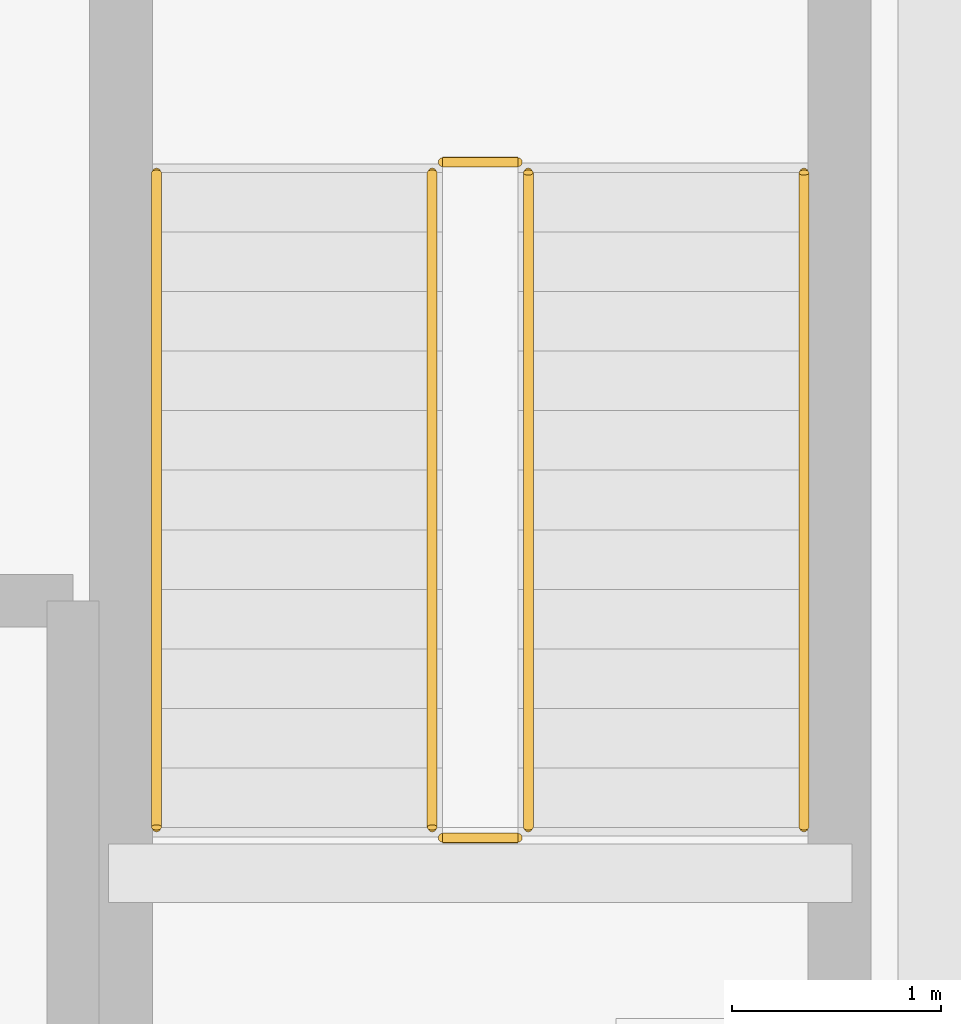
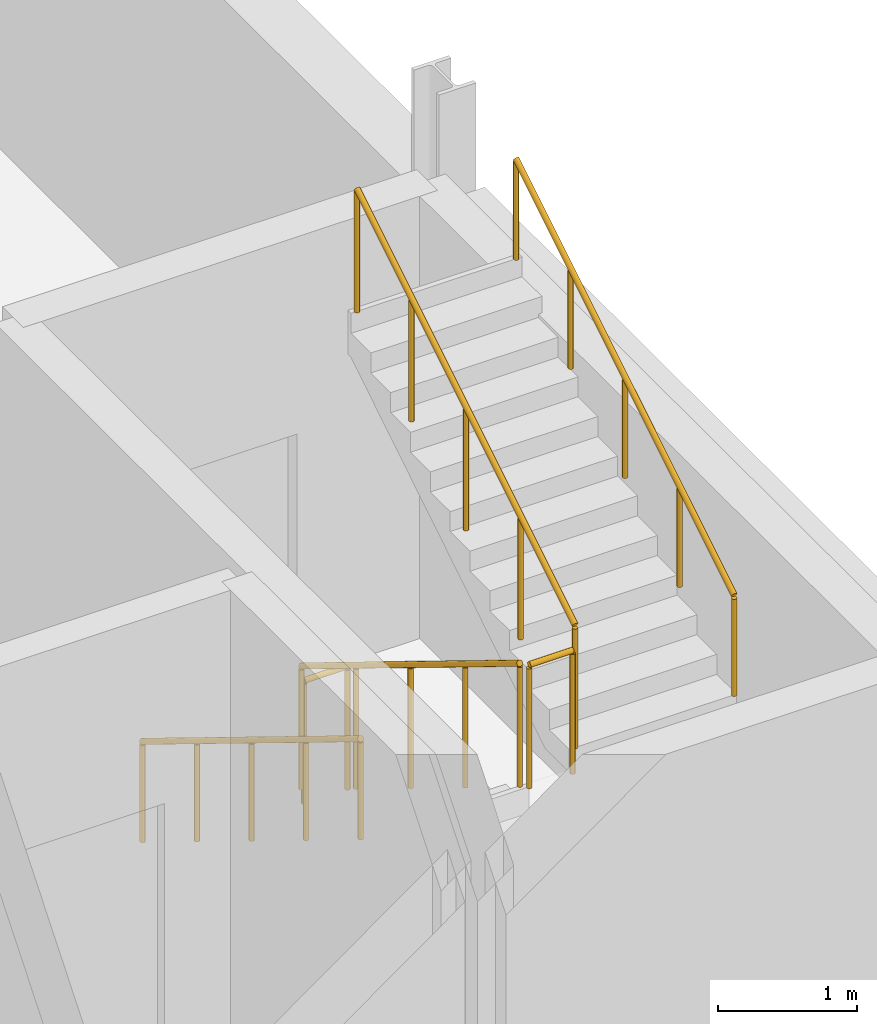
# One storey, part 50 of 50: 6 railings.
"""IFC4 building model written with IfcOpenShell, lengths in metres."""

from ifc_helpers import new_model, si_unit, direction, frame, origin, origin_2d, place, context, subcontext, project, spatial, circle, extrude, material, layer, layer_set, type_object, element, save


model = new_model("IFC4")

# Units and contexts
model_context = context("Model", 3, precision=1e-05, world=origin(), true_north=direction((0.0, 1.0)))
body_context = subcontext(model_context, "Body", "Model", "MODEL_VIEW")
ifc_project = project(units=[si_unit("LENGTHUNIT", "METRE"), si_unit("AREAUNIT", "SQUARE_METRE"), si_unit("VOLUMEUNIT", "CUBIC_METRE"), si_unit("PLANEANGLEUNIT", "RADIAN"), si_unit("MASSUNIT", "GRAM", prefix="KILO")], contexts=[model_context])

# Site, building, storey
site_placement = place(None, origin())
site = spatial("IfcSite", under=ifc_project, at=site_placement, CompositionType="ELEMENT")
building_placement = place(site_placement, origin())
building = spatial("IfcBuilding", under=site, at=building_placement, Name="Narikvali Park Central Library", CompositionType="ELEMENT")
storey_placement = place(building_placement, frame((0.0, 0.0, -4.199951171875)))
storey = spatial("IfcBuildingStorey", under=building, at=storey_placement, Name="B1", CompositionType="ELEMENT", Elevation=-4.199951171875)

# Railings
ifc_material_1 = material(Name="Brushed Stainless Steel S355", Category="steel")
ifc_layer_1 = layer(ifc_material_1, 0.044921875, Name="Brushed Stainless Steel S355")
ifc_layer_set_1 = layer_set([ifc_layer_1], Name="Brushed Stainless Steel S355")
railing_type_1 = type_object("IfcRailingType", Name="Stair Tubular Steel Handrail 900", PredefinedType="HANDRAIL", material=ifc_layer_set_1)
railing_1_placement = place(storey_placement, frame((161.800048828125, 105.75, 0.175048828125)))
element("IfcRailing", 1, at=railing_1_placement, inside=storey, type_object=railing_type_1, Name="B1 ST-06 stair handrail 1", PredefinedType="HANDRAIL", context=body_context, shape_type="SweptSolid", body=[
    extrude(circle(Radius=0.02392578125, at=origin_2d()), frame((0.0, 0.0, 0.8759765625), z_axis=(0.0, -0.852195625947, 0.523223293744), x_axis=(1.0, 0.0, 0.0)), (0.0, 0.0, 1.0), 3.6787109375),
    extrude(circle(Radius=0.02099609375, at=origin_2d()), origin(), (0.0, 0.0, 1.0), 0.851806640625),
    extrude(circle(Radius=0.02099609375, at=origin_2d()), frame((0.0, -0.78369140625, 0.481201171875)), (0.0, 0.0, 1.0), 0.851806640625),
    extrude(circle(Radius=0.02099609375, at=origin_2d()), frame((0.0, -1.5673828125, 0.96240234375)), (0.0, 0.0, 1.0), 0.851806640625),
    extrude(circle(Radius=0.02099609375, at=origin_2d()), frame((0.0, -2.351318359375, 1.443603515625)), (0.0, 0.0, 1.0), 0.851806640625),
    extrude(circle(Radius=0.02099609375, at=origin_2d()), frame((0.0, -3.135009765625, 1.9248046875)), (0.0, 0.0, 1.0), 0.851806640625),
])
railing_2_placement = place(storey_placement, frame((164.89990234375, 102.614990234375, 2.27490234375)))
element("IfcRailing", 2, at=railing_2_placement, inside=storey, type_object=railing_type_1, Name="B1 ST-06 stair handrail 2", PredefinedType="HANDRAIL", context=body_context, shape_type="SweptSolid", body=[
    extrude(circle(Radius=0.02392578125, at=origin_2d()), frame((0.0, 0.0, 0.8759765625), z_axis=(0.0, 0.852166034122, 0.523271488128), x_axis=(-1.0, 0.0, 0.0)), (0.0, 0.0, 1.0), 3.678955078125),
    extrude(circle(Radius=0.02099609375, at=origin_2d()), origin(), (0.0, 0.0, 1.0), 0.851806640625),
    extrude(circle(Radius=0.02099609375, at=origin_2d()), frame((0.0, 0.78369140625, 0.481201171875)), (0.0, 0.0, 1.0), 0.851806640625),
    extrude(circle(Radius=0.02099609375, at=origin_2d()), frame((0.0, 1.5673828125, 0.96240234375)), (0.0, 0.0, 1.0), 0.851806640625),
    extrude(circle(Radius=0.02099609375, at=origin_2d()), frame((0.0, 2.351318359375, 1.44384765625)), (0.0, 0.0, 1.0), 0.851806640625),
    extrude(circle(Radius=0.02099609375, at=origin_2d()), frame((0.0, 3.135009765625, 1.925048828125)), (0.0, 0.0, 1.0), 0.851806640625),
])
ifc_material_2 = material(Name="Powder-Coated Steel S275", Category="steel")
ifc_layer_2 = layer(ifc_material_2, 0.050048828125, Name="Powder-Coated Steel S275")
ifc_layer_set_2 = layer_set([ifc_layer_2], Name="Powder-Coated Steel S275")
railing_type_2 = type_object("IfcRailingType", Name="Stair Well Steel Guardrail 1100", PredefinedType="GUARDRAIL", material=ifc_layer_set_2)
railing_3_placement = place(storey_placement, frame((163.1201171875, 105.75, 0.175048828125)))
element("IfcRailing", 3, at=railing_3_placement, inside=storey, type_object=railing_type_2, Name="B1 ST-06 stair guard 1", PredefinedType="GUARDRAIL", context=body_context, shape_type="SweptSolid", body=[
    extrude(circle(Radius=0.02392578125, at=origin_2d()), frame((0.0, 0.0, 1.076171875), z_axis=(0.0, -0.852195625947, 0.523223293744), x_axis=(1.0, 0.0, 0.0)), (0.0, 0.0, 1.0), 3.6787109375),
    extrude(circle(Radius=0.02099609375, at=origin_2d()), origin(), (0.0, 0.0, 1.0), 1.052001953125),
    extrude(circle(Radius=0.02099609375, at=origin_2d()), frame((0.0, -0.78369140625, 0.481201171875)), (0.0, 0.0, 1.0), 1.052001953125),
    extrude(circle(Radius=0.02099609375, at=origin_2d()), frame((0.0, -1.5673828125, 0.96240234375)), (0.0, 0.0, 1.0), 1.052001953125),
    extrude(circle(Radius=0.02099609375, at=origin_2d()), frame((0.0, -2.351318359375, 1.443603515625)), (0.0, 0.0, 1.0), 1.052001953125),
    extrude(circle(Radius=0.02099609375, at=origin_2d()), frame((0.0, -3.135009765625, 1.9248046875)), (0.0, 0.0, 1.0), 1.052001953125),
])
railing_4_placement = place(storey_placement, frame((163.169921875, 102.56494140625, 2.099853515625)))
element("IfcRailing", 4, at=railing_4_placement, inside=storey, type_object=railing_type_2, Name="B1 ST-06 stair guard 2", PredefinedType="GUARDRAIL", context=body_context, shape_type="SweptSolid", body=[
    extrude(circle(Radius=0.02392578125, at=origin_2d()), frame((0.0, 0.0, 1.076171875), z_axis=(1.0, 0.0, 0.0), x_axis=(0.0, 1.0, 0.0)), (0.0, 0.0, 1.0), 0.360107421875),
    extrude(circle(Radius=0.02099609375, at=origin_2d()), origin(), (0.0, 0.0, 1.0), 1.052001953125),
    extrude(circle(Radius=0.02099609375, at=origin_2d()), frame((0.360107421875, 0.0, 0.0)), (0.0, 0.0, 1.0), 1.052001953125),
])
railing_5_placement = place(storey_placement, frame((163.580078125, 102.614990234375, 2.27490234375)))
element("IfcRailing", 5, at=railing_5_placement, inside=storey, type_object=railing_type_2, Name="B1 ST-06 stair guard 3", PredefinedType="GUARDRAIL", context=body_context, shape_type="SweptSolid", body=[
    extrude(circle(Radius=0.02392578125, at=origin_2d()), frame((0.0, 0.0, 1.076171875), z_axis=(0.0, 0.852166034122, 0.523271488128), x_axis=(-1.0, 0.0, 0.0)), (0.0, 0.0, 1.0), 3.678955078125),
    extrude(circle(Radius=0.02099609375, at=origin_2d()), origin(), (0.0, 0.0, 1.0), 1.052001953125),
    extrude(circle(Radius=0.02099609375, at=origin_2d()), frame((0.0, 0.78369140625, 0.481201171875)), (0.0, 0.0, 1.0), 1.052001953125),
    extrude(circle(Radius=0.02099609375, at=origin_2d()), frame((0.0, 1.5673828125, 0.96240234375)), (0.0, 0.0, 1.0), 1.052001953125),
    extrude(circle(Radius=0.02099609375, at=origin_2d()), frame((0.0, 2.351318359375, 1.44384765625)), (0.0, 0.0, 1.0), 1.052001953125),
    extrude(circle(Radius=0.02099609375, at=origin_2d()), frame((0.0, 3.135009765625, 1.925048828125)), (0.0, 0.0, 1.0), 1.052001953125),
])
railing_6_placement = place(storey_placement, frame((163.169921875, 105.800048828125, 0.0)))
element("IfcRailing", 6, at=railing_6_placement, inside=storey, type_object=railing_type_2, Name="B1 ST-06 stair guard 4", PredefinedType="GUARDRAIL", context=body_context, shape_type="SweptSolid", body=[
    extrude(circle(Radius=0.02392578125, at=origin_2d()), frame((0.0, 0.0, 1.076171875), z_axis=(1.0, 0.0, 0.0), x_axis=(0.0, 1.0, 0.0)), (0.0, 0.0, 1.0), 0.360107421875),
    extrude(circle(Radius=0.02099609375, at=origin_2d()), origin(), (0.0, 0.0, 1.0), 1.052001953125),
    extrude(circle(Radius=0.02099609375, at=origin_2d()), frame((0.360107421875, 0.0, 0.0)), (0.0, 0.0, 1.0), 1.052001953125),
])

save(model, "model.ifc")
